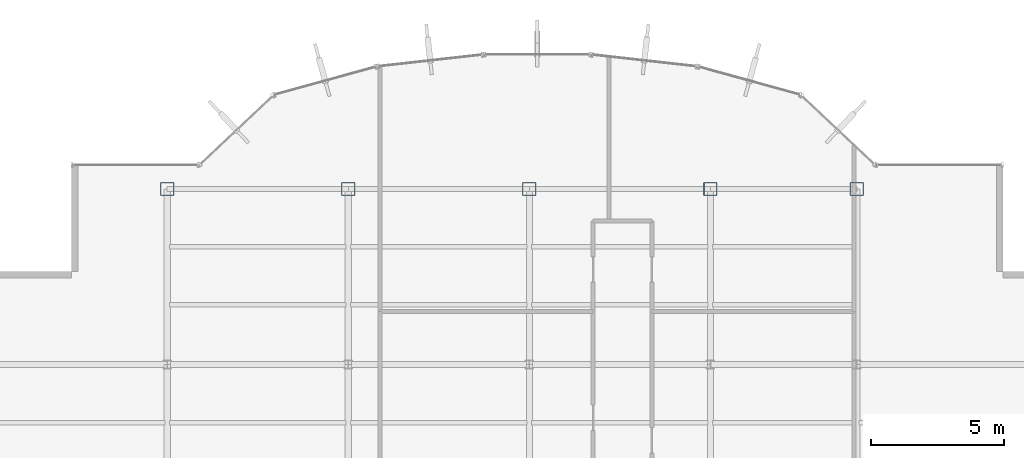
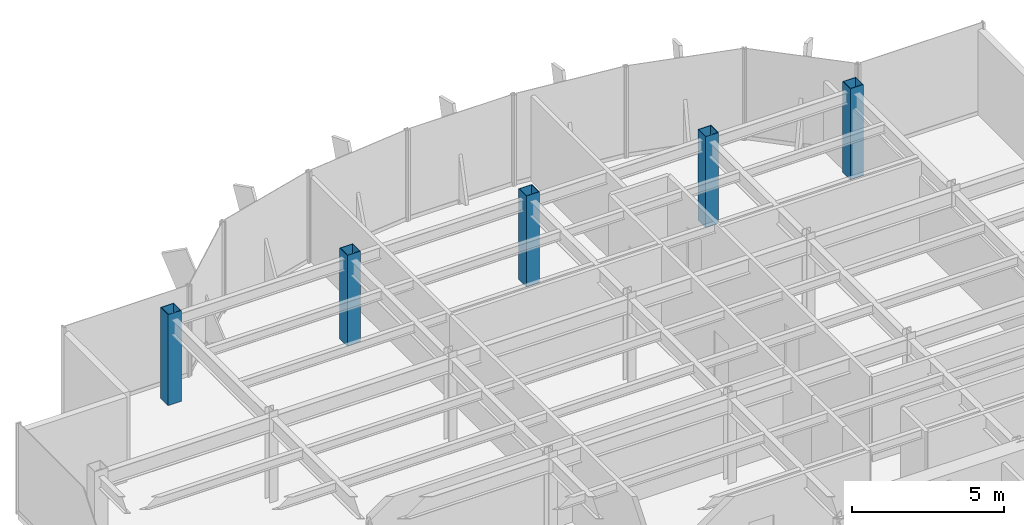
# One storey, part 2 of 22: 5 columns.
"""IFC4 building model written with IfcOpenShell, lengths in metres."""

from ifc_helpers import new_model, si_unit, derived_unit, direction, frame, origin, origin_2d, place, context, subcontext, project, spatial, hollow_rectangle, extrude, source, transform, mapped, material, material_profile, profile_set, type_object, element, save


model = new_model("IFC4")

# Units and contexts
model_context = context("Model", 3, precision=1e-05, world=origin(), true_north=direction((0.0, 1.0)))
body_context = subcontext(model_context, "Body", "Model", "MODEL_VIEW")
ifc_project = project(units=[si_unit("LENGTHUNIT", "METRE"), si_unit("AREAUNIT", "SQUARE_METRE"), si_unit("VOLUMEUNIT", "CUBIC_METRE"), si_unit("PLANEANGLEUNIT", "RADIAN"), si_unit("MASSUNIT", "GRAM", prefix="KILO"), derived_unit("THERMALTRANSMITTANCEUNIT", [(si_unit("POWERUNIT", "WATT"), 1), (si_unit("LENGTHUNIT", "METRE"), -2), (si_unit("THERMODYNAMICTEMPERATUREUNIT", "KELVIN"), -1)])], contexts=[model_context])

# Site, building, storey
site_placement = place(None, origin())
site = spatial("IfcSite", under=ifc_project, at=site_placement, CompositionType="ELEMENT")
building_placement = place(site_placement, origin())
building = spatial("IfcBuilding", under=site, at=building_placement, Name="Skarnbrae Concourse Arena and Tower", CompositionType="ELEMENT")
storey_placement = place(building_placement, frame((0.0, 0.0, 195.89990234375)))
storey = spatial("IfcBuildingStorey", under=building, at=storey_placement, Name="L50", CompositionType="ELEMENT", Elevation=195.89990234375)

# Columns
ifc_material = material(Name="Steel CSA G40.21 350W", Category="steel")
ifc_material_profile = material_profile(ifc_material, hollow_rectangle(XDim=0.5, YDim=0.5, WallThickness=0.02197265625, at=origin_2d()), Name="HSS500X500X22.0")
ifc_profile_set = profile_set([ifc_material_profile], Name="Steel CSA G40.21 350W")
column_type = type_object("IfcColumnType", Name="COL-TUBE-HSS500", PredefinedType="COLUMN", material=ifc_profile_set)
shared_shape = source(origin(), body_context, "Body", "SweptSolid", [
    extrude(hollow_rectangle(XDim=0.5, YDim=0.5, WallThickness=0.02197265625, at=origin_2d()), origin(), (0.0, 0.0, 1.0), 3.650146484375),
])
for number, where, z_axis, x_axis, name in (
    (1, (7.60009765625, 34.39990234375, 0.0), (0.0, 0.0, 1.0), (1.0, 0.0, 0.0), "L50 Tower column PC_02_05"),
    (2, (14.39990234375, 34.39990234375, 0.0), (0.0, 0.0, 1.0), (1.0, 0.0, 0.0), "L50 Tower column PC_03_05"),
    (3, (21.199951171875, 34.39990234375, 0.0), (0.0, 0.0, 1.0), (1.0, 0.0, 0.0), "L50 Tower column PC_04_05"),
    (4, (28.0, 34.39990234375, 0.0), (0.0, 0.0, 1.0), (1.0, 0.0, 0.0), "L50 Tower column PC_05_05"),
    (5, (33.5, 34.39990234375, 0.0), (0.0, 0.0, 1.0), (1.0, 0.0, 0.0), "L50 Tower column PC_06_05"),
):
    element("IfcColumn", number, at=place(storey_placement, frame(where, z_axis=z_axis, x_axis=x_axis)), inside=storey, type_object=column_type, Name=name, PredefinedType="COLUMN", context=body_context, shape_type="MappedRepresentation", body=[
        mapped(shared_shape, transform((0.0, 0.0, 0.0))),
    ])

save(model, "model.ifc")
